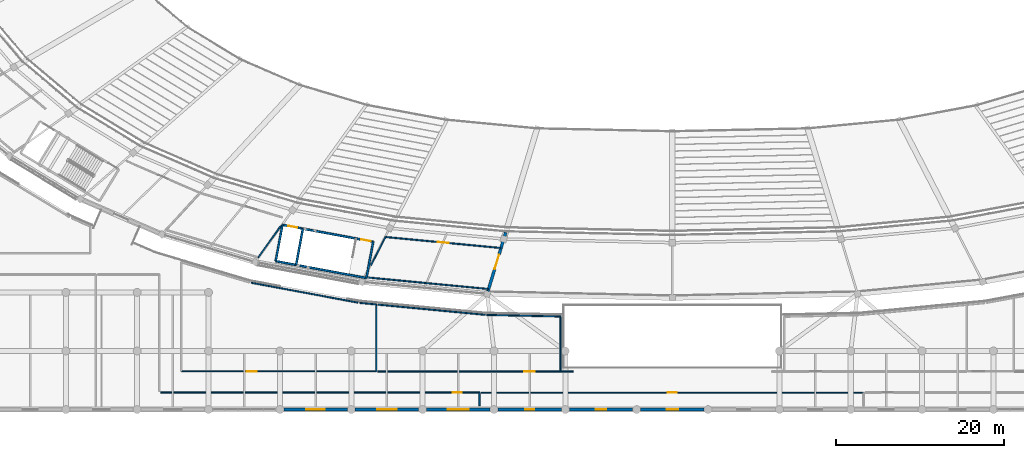
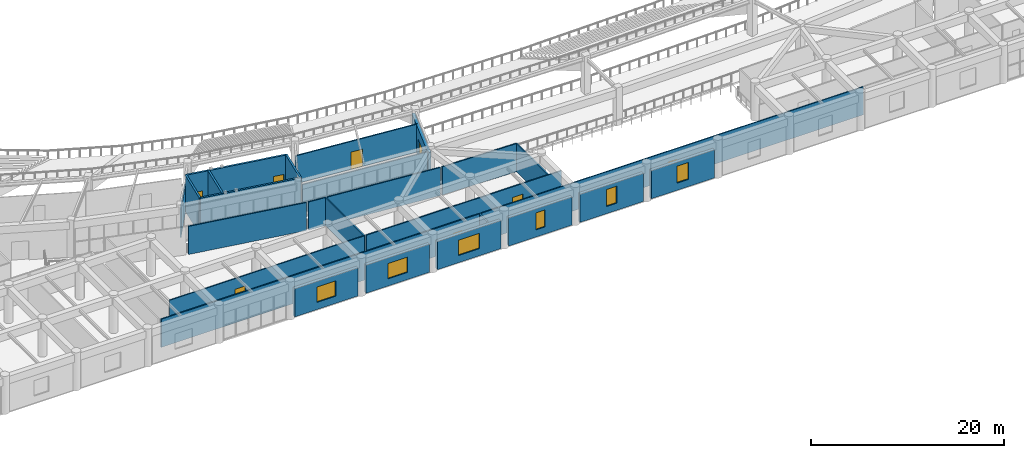
# One storey, part 93 of 137: 27 walls, 8 doors, 6 windows, 14 openings.
"""IFC4 building model written with IfcOpenShell, lengths in metres."""

import ifcopenshell
import ifcopenshell.guid

model = None  # the IFC model being written
_history = None  # IfcOwnerHistory: only IFC2X3 demands one
_inside = {}  # id of a spatial element -> (the spatial element, [elements in it])
_under = {}  # id of a project, library or spatial element -> (it, [spatial elements below it])
_declared = {}  # id of a project -> (the project, [libraries it declares])
_typed = {}  # id of a type object -> (the type object, [elements of that type])
_made_of = {}  # id of a material, layer set ... -> (it, [elements and type objects made of it])


def new_model(schema):
    """Start an empty IFC model of exactly this schema.

    Asked for "IFC4X3", IfcOpenShell would pick the latest addendum, in which some entities
    have other attributes; the version numbers below select the first issue.
    IFC2X3 requires an IfcOwnerHistory on every rooted entity: one is made here for all.
    """
    global model, _history
    if schema == "IFC4X3":
        model = ifcopenshell.file(schema_version=(4, 3, 0, 0))
    else:
        model = ifcopenshell.file(schema=schema)
    _inside.clear()
    _under.clear()
    _declared.clear()
    _typed.clear()
    _made_of.clear()
    _history = None
    if model.schema == "IFC2X3":
        org = make("IfcOrganization", Name="unknown")
        user = make(
            "IfcPersonAndOrganization",
            ThePerson=make("IfcPerson", FamilyName="unknown"),
            TheOrganization=org,
        )
        app = make(
            "IfcApplication",
            ApplicationDeveloper=org,
            Version="unknown",
            ApplicationFullName="unknown",
            ApplicationIdentifier="unknown",
        )
        _history = make(
            "IfcOwnerHistory",
            OwningUser=user,
            OwningApplication=app,
            ChangeAction="ADDED",
            CreationDate=0,
        )
    return model


def make(cls, **values):
    """One entity of the class cls with the attributes given. An attribute that is None is left unset."""
    return model.create_entity(
        cls, **{name: value for name, value in values.items() if value is not None}
    )


def rooted(cls, **values):
    """An entity with a GlobalId (a new one), such as an element, a storey or a relation."""
    return make(cls, GlobalId=ifcopenshell.guid.new(), OwnerHistory=_history, **values)


def si_unit(unit_type, name, prefix=None):
    """IfcSIUnit, for example si_unit("LENGTHUNIT", "METRE", prefix="MILLI")."""
    return make("IfcSIUnit", UnitType=unit_type, Prefix=prefix, Name=name)


def assignment(units):
    """IfcUnitAssignment: the units of a project."""
    return None if units is None else make("IfcUnitAssignment", Units=units)


def point(xyz):
    """IfcCartesianPoint."""
    return None if xyz is None else make("IfcCartesianPoint", Coordinates=xyz)


def direction(xyz):
    """IfcDirection."""
    return None if xyz is None else make("IfcDirection", DirectionRatios=xyz)


def frame(location, z_axis=None, x_axis=None):
    """IfcAxis2Placement3D, a coordinate frame: its origin and axes. An axis left out is left unset."""
    return make(
        "IfcAxis2Placement3D",
        Location=point(location),
        Axis=direction(z_axis),
        RefDirection=direction(x_axis),
    )


def frame_2d(location, x_axis=None):
    """IfcAxis2Placement2D, a coordinate frame in the plane: its origin and x axis."""
    return make(
        "IfcAxis2Placement2D", Location=point(location), RefDirection=direction(x_axis)
    )


def origin():
    """The frame at (0, 0, 0) with its axes left unset."""
    return frame((0.0, 0.0, 0.0))


def place(relative_to, where):
    """IfcLocalPlacement: puts the frame where relative to a parent placement (None: the world)."""
    return make(
        "IfcLocalPlacement", PlacementRelTo=relative_to, RelativePlacement=where
    )


def context(
    kind, dimensions, precision=None, world=None, true_north=None, identifier=None
):
    """IfcGeometricRepresentationContext, for example the 3D "Model" context."""
    return make(
        "IfcGeometricRepresentationContext",
        ContextIdentifier=identifier,
        ContextType=kind,
        CoordinateSpaceDimension=dimensions,
        Precision=precision,
        WorldCoordinateSystem=world,
        TrueNorth=true_north,
    )


def subcontext(parent, identifier, kind, view, scale=None):
    """IfcGeometricRepresentationSubContext, for example "Body" below "Model"."""
    return make(
        "IfcGeometricRepresentationSubContext",
        ContextIdentifier=identifier,
        ContextType=kind,
        ParentContext=parent,
        TargetScale=scale,
        TargetView=view,
    )


def project(units=None, contexts=None):
    """IfcProject with its units and contexts."""
    return rooted(
        "IfcProject",
        Name="project",
        RepresentationContexts=contexts,
        UnitsInContext=assignment(units),
    )


def spatial(cls, under=None, at=None, **own):
    """A site, building, storey or space (cls), placed at a placement, below another one or the project."""
    s = rooted(cls, ObjectPlacement=at, **own)
    if under is not None:
        _under.setdefault(under.id(), (under, []))[1].append(s)
    return s


def profile(cls, at=None, kind="AREA", **sizes):
    """A parametric profile (cls). Its sizes go by their IFC names, for example OverallWidth=200.0."""
    return make(cls, ProfileType=kind, Position=at, **sizes)


def rectangle(**sizes):
    """IfcRectangleProfileDef."""
    return profile("IfcRectangleProfileDef", **sizes)


def extrude(swept, where, along, depth):
    """IfcExtrudedAreaSolid: the profile swept, set in the frame where, extruded along a direction by depth."""
    return make(
        "IfcExtrudedAreaSolid",
        SweptArea=swept,
        Position=where,
        ExtrudedDirection=direction(along),
        Depth=depth,
    )


def shape(context_of_items, identifier, shape_type, items):
    """IfcShapeRepresentation: the items that make up one representation, for example the "Body"."""
    return make(
        "IfcShapeRepresentation",
        ContextOfItems=context_of_items,
        RepresentationIdentifier=identifier,
        RepresentationType=shape_type,
        Items=items,
    )


def material(Name=None, Category=None):
    """IfcMaterial."""
    return make("IfcMaterial", Name=Name, Category=Category)


def layer(
    of_material, thickness, ventilated=None, Name=None, Category=None, Priority=None
):
    """IfcMaterialLayer: one layer of a wall or slab, of a material (None: an air gap)."""
    return make(
        "IfcMaterialLayer",
        Material=of_material,
        LayerThickness=thickness,
        IsVentilated=ventilated,
        Name=Name,
        Category=Category,
        Priority=Priority,
    )


def layer_set(layers, Name=None):
    """IfcMaterialLayerSet."""
    return make("IfcMaterialLayerSet", MaterialLayers=layers, LayerSetName=Name)


def made_of(thing, what):
    """Note that an element or type object is made of a material, layer set ...; save() writes the relation."""
    if what is not None:
        _made_of.setdefault(what.id(), (what, []))[1].append(thing)
    return thing


def type_object(cls, material=None, **own):
    """A type object (cls), such as IfcWallType, which elements share."""
    return made_of(rooted(cls, **own), material)


def element(
    cls,
    number,
    at=None,
    inside=None,
    cuts=None,
    type_object=None,
    material=None,
    context=None,
    identifier="Body",
    shape_type=None,
    held_by="IfcProductDefinitionShape",
    body=None,
    shapes=None,
    **own,
):
    """One element of the class cls, such as IfcWall. Its Tag is "e" and its number.

    at: its placement. inside: the storey or other place that contains it. cuts: it is an
    opening in that element (IfcRelVoidsElement). A single representation is given by context,
    identifier, shape_type and body (its items); several are given by shapes. held_by: the class
    of the entity that holds the representations. save() writes the other relations.
    """
    e = rooted(cls, Tag="e%d" % number, ObjectPlacement=at, **own)
    if body is not None:
        shapes = [shape(context, identifier, shape_type, body)]
    if shapes is not None:
        e.Representation = make(held_by, Representations=shapes)
    if inside is not None:
        _inside.setdefault(inside.id(), (inside, []))[1].append(e)
    if cuts is not None:
        rooted(
            "IfcRelVoidsElement", RelatingBuildingElement=cuts, RelatedOpeningElement=e
        )
    if type_object is not None:
        _typed.setdefault(type_object.id(), (type_object, []))[1].append(e)
    return made_of(e, material)


def fill(opening, filler):
    """IfcRelFillsElement: the door or window that sits in an opening."""
    return rooted(
        "IfcRelFillsElement",
        RelatingOpeningElement=opening,
        RelatedBuildingElement=filler,
    )


def aggregate(whole, parts):
    """IfcRelAggregates: a whole, such as a stair, and the parts it consists of."""
    return rooted("IfcRelAggregates", RelatingObject=whole, RelatedObjects=parts)


def save(model, path):
    """Write the relations noted so far, then the file.

    IfcRelAggregates (storeys below a building ...), IfcRelContainedInSpatialStructure (elements
    in a storey), IfcRelDefinesByType, IfcRelAssociatesMaterial and IfcRelDeclares: one each for
    every whole, place, type object, material and project.
    """
    for whole, parts in _under.values():
        aggregate(whole, parts)
    for where, things in _inside.values():
        rooted(
            "IfcRelContainedInSpatialStructure",
            RelatedElements=things,
            RelatingStructure=where,
        )
    for kind, things in _typed.values():
        rooted("IfcRelDefinesByType", RelatedObjects=things, RelatingType=kind)
    for what, things in _made_of.values():
        rooted("IfcRelAssociatesMaterial", RelatedObjects=things, RelatingMaterial=what)
    for by, libraries in _declared.values():
        rooted("IfcRelDeclares", RelatingContext=by, RelatedDefinitions=libraries)
    model.write(path)


model = new_model("IFC4")

# Units and contexts
model_context = context("Model", 3, precision=1e-05, world=origin(), true_north=direction((0.0, 1.0)))
body_context = subcontext(model_context, "Body", "Model", "MODEL_VIEW")
ifc_project = project(units=[si_unit("LENGTHUNIT", "METRE"), si_unit("AREAUNIT", "SQUARE_METRE"), si_unit("VOLUMEUNIT", "CUBIC_METRE"), si_unit("PLANEANGLEUNIT", "RADIAN"), si_unit("MASSUNIT", "GRAM", prefix="KILO")], contexts=[model_context])

# Site, building, storey
site_placement = place(None, origin())
site = spatial("IfcSite", under=ifc_project, at=site_placement, CompositionType="ELEMENT")
building_placement = place(site_placement, origin())
building = spatial("IfcBuilding", under=site, at=building_placement, Name="Mphavela Belvedere Stadium", CompositionType="ELEMENT")
storey_placement = place(building_placement, frame((0.0, 0.0, 19.199951171875)))
storey = spatial("IfcBuildingStorey", under=building, at=storey_placement, Name="L04", CompositionType="ELEMENT", Elevation=19.199951171875)

# Walls
ifc_material_1 = material(Name="Concrete C40/50", Category="concrete")
ifc_layer_1 = layer(ifc_material_1, 0.219970703125)
ifc_layer_set_1 = layer_set([ifc_layer_1], Name="Concrete C40/50")
wall_type_1 = type_object("IfcWallType", Name="WAL-CORE-SHEAR-220", PredefinedType="SHEAR", material=ifc_layer_set_1)
wall_1_placement = place(storey_placement, frame((78.477294921875, 15.707275390625, 0.0), z_axis=(0.0, 0.0, 1.0), x_axis=(-0.983093434234, 0.183104613723, 0.0)))
element("IfcWall", 1, at=wall_1_placement, inside=storey, type_object=wall_type_1, Name="Core C11 shear wall L04 rear", PredefinedType="SHEAR", context=body_context, shape_type="SweptSolid", body=[
    extrude(rectangle(XDim=11.02001953125, YDim=0.219970703125, at=frame_2d((5.510009765625, 0.0))), origin(), (0.0, 0.0, 1.0), 4.550048828125),
])
for number, where, z_axis, x_axis, name in (
    (2, (79.28466796875, 20.042724609375, 0.0), (0.0, 0.0, 1.0), (-0.183078394814, -0.983098317236, 0.0), "Core C11 shear wall L04 left"),
    (3, (68.450927734375, 22.060546875, 0.0), (0.0, 0.0, 1.0), (-0.183078394814, -0.983098317236, 0.0), "Core C11 shear wall L04 right"),
):
    element("IfcWall", number, at=place(storey_placement, frame(where, z_axis=z_axis, x_axis=x_axis)), inside=storey, type_object=wall_type_1, Name=name, PredefinedType="SHEAR", context=body_context, shape_type="SweptSolid", body=[
        extrude(rectangle(XDim=4.409912109375, YDim=0.219970703125, at=frame_2d((2.205078125, 0.0))), origin(), (0.0, 0.0, 1.0), 4.550048828125),
    ])

# Wall, openings, doors
wall_2_placement = place(storey_placement, frame((79.28466796875, 20.042724609375, 0.0), z_axis=(0.0, 0.0, 1.0), x_axis=(-0.983093434234, 0.183104613723, 0.0)))
wall_2 = element("IfcWall", 4, at=wall_2_placement, inside=storey, type_object=wall_type_1, Name="Core C11 shear wall L04 front", PredefinedType="SHEAR", context=body_context, shape_type="SweptSolid", body=[
    extrude(rectangle(XDim=11.02001953125, YDim=0.219970703125, at=frame_2d((5.510009765625, 0.0))), origin(), (0.0, 0.0, 1.0), 4.550048828125),
])
opening_1_placement = place(wall_2_placement, frame((0.300048828125, 0.0, 0.0)))
opening_1 = element("IfcOpeningElement", 5, at=opening_1_placement, cuts=wall_2, Name="Opening SD-061", PredefinedType="OPENING", context=body_context, shape_type="SweptSolid", body=[
    extrude(rectangle(XDim=1.14990234375, YDim=2.14990234375, at=frame_2d((0.574951171875, 1.074951171875))), frame((0.0, 0.1201171875, 0.0), z_axis=(0.0, -1.0, 0.0), x_axis=(1.0, 0.0, 0.0)), (0.0, 0.0, 1.0), 0.239990234375),
])
opening_2_placement = place(wall_2_placement, frame((9.22998046875, 0.0, 0.0)))
opening_2 = element("IfcOpeningElement", 6, at=opening_2_placement, cuts=wall_2, Name="Opening LD-061", PredefinedType="OPENING", context=body_context, shape_type="SweptSolid", body=[
    extrude(rectangle(XDim=1.10009765625, YDim=2.14990234375, at=frame_2d((0.550048828125, 1.074951171875))), frame((0.0, 0.1201171875, 0.0), z_axis=(0.0, -1.0, 0.0), x_axis=(1.0, 0.0, 0.0)), (0.0, 0.0, 1.0), 0.239990234375),
])
ifc_material_2 = material(Name="Stainless steel center-parting lift landing door", Category="steel")
door_type_1 = type_object("IfcDoorType", Name="DR-LIFT-SLIDE-1100", OperationType="NOTDEFINED", PredefinedType="DOOR", material=ifc_material_2)
door_1_placement = place(opening_2_placement, origin())
door_1 = element("IfcDoor", 7, at=door_1_placement, inside=storey, type_object=door_type_1, Name="Lift landing sliding door PL05 L04", OperationType="DOUBLE_DOOR_SLIDING", OverallHeight=2.14990234375, OverallWidth=1.10009765625, PredefinedType="DOOR", context=body_context, shape_type="SweptSolid", body=[
    extrude(rectangle(XDim=1.10009765625, YDim=2.14990234375, at=frame_2d((0.550048828125, 1.074951171875))), frame((0.0, 0.02490234375, 0.0), z_axis=(0.0, -1.0, 0.0), x_axis=(1.0, 0.0, 0.0)), (0.0, 0.0, 1.0), 0.050048828125),
])
fill(opening_2, door_1)
ifc_material_3 = material(Name="Steel acoustic fire-resisting stair doorset", Category="steel")
door_type_2 = type_object("IfcDoorType", Name="DR-STAIR-FIRE-1150", OperationType="NOTDEFINED", PredefinedType="DOOR", material=ifc_material_3)
door_2_placement = place(opening_1_placement, origin())
door_2 = element("IfcDoor", 8, at=door_2_placement, inside=storey, type_object=door_type_2, Name="Escape stair fire door C11 L04", OperationType="SINGLE_SWING_LEFT", OverallHeight=2.14990234375, OverallWidth=1.14990234375, PredefinedType="DOOR", context=body_context, shape_type="SweptSolid", body=[
    extrude(rectangle(XDim=1.14990234375, YDim=2.14990234375, at=frame_2d((0.574951171875, 1.074951171875))), frame((0.0, 0.02490234375, 0.0), z_axis=(0.0, -1.0, 0.0), x_axis=(1.0, 0.0, 0.0)), (0.0, 0.0, 1.0), 0.050048828125),
])
fill(opening_1, door_2)

# Wall
wall_3_placement = place(storey_placement, frame((70.888916015625, 21.6064453125, 0.0), z_axis=(0.0, 0.0, 1.0), x_axis=(-0.183078394814, -0.983098317236, 0.0)))
element("IfcWall", 9, at=wall_3_placement, inside=storey, type_object=wall_type_1, Name="Core C11 shear wall L04 div", PredefinedType="SHEAR", context=body_context, shape_type="SweptSolid", body=[
    extrude(rectangle(XDim=4.409912109375, YDim=0.219970703125, at=frame_2d((2.205078125, 0.0))), origin(), (0.0, 0.0, 1.0), 4.550048828125),
])

# Wall, opening, door
ifc_material_4 = material(Name="Honed ashlar limestone masonry", Category="masonry")
ifc_layer_2 = layer(ifc_material_4, 0.35009765625)
ifc_layer_set_2 = layer_set([ifc_layer_2], Name="Honed ashlar limestone masonry")
wall_type_2 = type_object("IfcWallType", Name="WAL-EXT-ASHLAR-350", PredefinedType="STANDARD", material=ifc_layer_set_2)
wall_4_placement = place(storey_placement, frame((95.10400390625, 21.148681640625, 0.0), z_axis=(0.0, 0.0, 1.0), x_axis=(-0.28924385285, -0.957255448451, 0.0)))
wall_4 = element("IfcWall", 10, at=wall_4_placement, inside=storey, type_object=wall_type_2, Name="South Belvedere terrace end wall 1", PredefinedType="STANDARD", context=body_context, shape_type="SweptSolid", body=[
    extrude(rectangle(XDim=7.322265625, YDim=0.35009765625, at=frame_2d((3.6611328125, 0.0))), origin(), (0.0, 0.0, 1.0), 3.550048828125),
])
opening_3_placement = place(wall_4_placement, frame((2.76123046875, 0.0, 0.0)))
opening_3 = element("IfcOpeningElement", 11, at=opening_3_placement, cuts=wall_4, Name="Opening TD-401", PredefinedType="OPENING", context=body_context, shape_type="SweptSolid", body=[
    extrude(rectangle(XDim=1.800048828125, YDim=2.25, at=frame_2d((0.89990234375, 1.125))), frame((0.0, 0.18505859375, 0.0), z_axis=(0.0, -1.0, 0.0), x_axis=(1.0, 0.0, 0.0)), (0.0, 0.0, 1.0), 0.3701171875),
])
ifc_material_5 = material(Name="Glazed bronze-anodised steel exit doorset", Category="steel")
door_type_3 = type_object("IfcDoorType", Name="DR-TER-01", OperationType="NOTDEFINED", PredefinedType="DOOR", material=ifc_material_5)
door_3_placement = place(opening_3_placement, origin())
door_3 = element("IfcDoor", 12, at=door_3_placement, inside=storey, type_object=door_type_3, Name="South Belvedere terrace access door TD-401", OperationType="DOUBLE_DOOR_SINGLE_SWING", OverallHeight=2.25, OverallWidth=1.800048828125, PredefinedType="DOOR", context=body_context, shape_type="SweptSolid", body=[
    extrude(rectangle(XDim=1.800048828125, YDim=2.25, at=frame_2d((0.89990234375, 1.125))), frame((0.0, 0.02490234375, 0.0), z_axis=(0.0, -1.0, 0.0), x_axis=(1.0, 0.0, 0.0)), (0.0, 0.0, 1.0), 0.050048828125),
])
fill(opening_3, door_3)

# Wall, opening, window
wall_5_placement = place(storey_placement, frame((76.194091796875, 0.0, 0.0), z_axis=(0.0, 0.0, 1.0), x_axis=(-1.0, 0.0, 0.0)))
wall_5 = element("IfcWall", 13, at=wall_5_placement, inside=storey, type_object=wall_type_2, Name="South Axial Triumphal Peristyle Portico outer facade bay L04-09", PredefinedType="STANDARD", context=body_context, shape_type="SweptSolid", body=[
    extrude(rectangle(XDim=7.572998046875, YDim=0.35009765625, at=frame_2d((3.78662109375, 0.0))), origin(), (0.0, 0.0, 1.0), 3.56005859375),
])
opening_4_placement = place(wall_5_placement, frame((2.676513671875, 0.0, 0.89990234375)))
opening_4 = element("IfcOpeningElement", 14, at=opening_4_placement, cuts=wall_5, Name="Opening W-119", PredefinedType="OPENING", context=body_context, shape_type="SweptSolid", body=[
    extrude(rectangle(XDim=2.219970703125, YDim=1.949951171875, at=frame_2d((1.10986328125, 0.97509765625))), frame((0.0, 0.18505859375, 0.0), z_axis=(0.0, -1.0, 0.0), x_axis=(1.0, 0.0, 0.0)), (0.0, 0.0, 1.0), 0.3701171875),
])
ifc_material_6 = material(Name="Bronze-anodised thermally broken aluminium window", Category="aluminium")
window_type_1 = type_object("IfcWindowType", Name="WIN-EXT-31", PartitioningType="SINGLE_PANEL", PredefinedType="WINDOW", material=ifc_material_6)
window_1_placement = place(opening_4_placement, origin())
window_1 = element("IfcWindow", 15, at=window_1_placement, inside=storey, type_object=window_type_1, Name="South Axial Triumphal Peristyle Portico classical window W-119", OverallHeight=1.949951171875, OverallWidth=2.219970703125, PartitioningType="SINGLE_PANEL", PredefinedType="WINDOW", context=body_context, shape_type="SweptSolid", body=[
    extrude(rectangle(XDim=2.219970703125, YDim=1.949951171875, at=frame_2d((1.10986328125, 0.97509765625))), frame((0.0, 0.030029296875, 0.0), z_axis=(0.0, -1.0, 0.0), x_axis=(1.0, 0.0, 0.0)), (0.0, 0.0, 1.0), 0.06005859375),
])
fill(opening_4, window_1)

wall_6_placement = place(storey_placement, frame((84.7119140625, 0.0, 0.0), z_axis=(0.0, 0.0, 1.0), x_axis=(-1.0, 0.0, 0.0)))
wall_6 = element("IfcWall", 16, at=wall_6_placement, inside=storey, type_object=wall_type_2, Name="South Axial Triumphal Peristyle Portico outer facade bay L04-10", PredefinedType="STANDARD", context=body_context, shape_type="SweptSolid", body=[
    extrude(rectangle(XDim=7.572021484375, YDim=0.35009765625, at=frame_2d((3.7861328125, 0.0))), origin(), (0.0, 0.0, 1.0), 3.56005859375),
])
opening_5_placement = place(wall_6_placement, frame((2.60595703125, 0.0, 0.89990234375)))
opening_5 = element("IfcOpeningElement", 17, at=opening_5_placement, cuts=wall_6, Name="Opening W-120", PredefinedType="OPENING", context=body_context, shape_type="SweptSolid", body=[
    extrude(rectangle(XDim=2.360107421875, YDim=1.949951171875, at=frame_2d((1.18017578125, 0.97509765625))), frame((0.0, 0.18505859375, 0.0), z_axis=(0.0, -1.0, 0.0), x_axis=(1.0, 0.0, 0.0)), (0.0, 0.0, 1.0), 0.3701171875),
])
ifc_material_7 = material(Name="Bronze-anodised thermally broken aluminium window", Category="aluminium")
window_type_2 = type_object("IfcWindowType", Name="WIN-EXT-32", PartitioningType="SINGLE_PANEL", PredefinedType="WINDOW", material=ifc_material_7)
window_2_placement = place(opening_5_placement, origin())
window_2 = element("IfcWindow", 18, at=window_2_placement, inside=storey, type_object=window_type_2, Name="South Axial Triumphal Peristyle Portico classical window W-120", OverallHeight=1.949951171875, OverallWidth=2.360107421875, PartitioningType="SINGLE_PANEL", PredefinedType="WINDOW", context=body_context, shape_type="SweptSolid", body=[
    extrude(rectangle(XDim=2.360107421875, YDim=1.949951171875, at=frame_2d((1.18017578125, 0.97509765625))), frame((0.0, 0.030029296875, 0.0), z_axis=(0.0, -1.0, 0.0), x_axis=(1.0, 0.0, 0.0)), (0.0, 0.0, 1.0), 0.06005859375),
])
fill(opening_5, window_2)

wall_7_placement = place(storey_placement, frame((93.23095703125, 0.0, 0.0), z_axis=(0.0, 0.0, 1.0), x_axis=(-1.0, 0.0, 0.0)))
wall_7 = element("IfcWall", 19, at=wall_7_placement, inside=storey, type_object=wall_type_2, Name="South Axial Triumphal Peristyle Portico outer facade bay L04-11", PredefinedType="STANDARD", context=body_context, shape_type="SweptSolid", body=[
    extrude(rectangle(XDim=7.572998046875, YDim=0.35009765625, at=frame_2d((3.78662109375, 0.0))), origin(), (0.0, 0.0, 1.0), 3.56005859375),
])
opening_6_placement = place(wall_7_placement, frame((2.526611328125, 0.0, 0.89990234375)))
opening_6 = element("IfcOpeningElement", 20, at=opening_6_placement, cuts=wall_7, Name="Opening W-121", PredefinedType="OPENING", context=body_context, shape_type="SweptSolid", body=[
    extrude(rectangle(XDim=2.52001953125, YDim=1.949951171875, at=frame_2d((1.260009765625, 0.97509765625))), frame((0.0, 0.18505859375, 0.0), z_axis=(0.0, -1.0, 0.0), x_axis=(1.0, 0.0, 0.0)), (0.0, 0.0, 1.0), 0.3701171875),
])
ifc_material_8 = material(Name="Bronze-anodised thermally broken aluminium window", Category="aluminium")
window_type_3 = type_object("IfcWindowType", Name="WIN-EXT-33", PartitioningType="SINGLE_PANEL", PredefinedType="WINDOW", material=ifc_material_8)
window_3_placement = place(opening_6_placement, origin())
window_3 = element("IfcWindow", 21, at=window_3_placement, inside=storey, type_object=window_type_3, Name="South Axial Triumphal Peristyle Portico classical window W-121", OverallHeight=1.949951171875, OverallWidth=2.52001953125, PartitioningType="SINGLE_PANEL", PredefinedType="WINDOW", context=body_context, shape_type="SweptSolid", body=[
    extrude(rectangle(XDim=2.52001953125, YDim=1.949951171875, at=frame_2d((1.260009765625, 0.97509765625))), frame((0.0, 0.030029296875, 0.0), z_axis=(0.0, -1.0, 0.0), x_axis=(1.0, 0.0, 0.0)), (0.0, 0.0, 1.0), 0.06005859375),
])
fill(opening_6, window_3)

wall_8_placement = place(storey_placement, frame((101.7490234375, 0.0, 0.0), z_axis=(0.0, 0.0, 1.0), x_axis=(-1.0, 0.0, 0.0)))
wall_8 = element("IfcWall", 22, at=wall_8_placement, inside=storey, type_object=wall_type_2, Name="South Axial Triumphal Peristyle Portico outer facade bay L04-12", PredefinedType="STANDARD", context=body_context, shape_type="SweptSolid", body=[
    extrude(rectangle(XDim=7.572021484375, YDim=0.35009765625, at=frame_2d((3.7861328125, 0.0))), origin(), (0.0, 0.0, 1.0), 3.56005859375),
])
opening_7_placement = place(wall_8_placement, frame((3.236083984375, 0.0, 0.89990234375)))
opening_7 = element("IfcOpeningElement", 23, at=opening_7_placement, cuts=wall_8, Name="Opening W-122", PredefinedType="OPENING", context=body_context, shape_type="SweptSolid", body=[
    extrude(rectangle(XDim=1.10009765625, YDim=2.14990234375, at=frame_2d((0.550048828125, 1.074951171875))), frame((0.0, 0.18505859375, 0.0), z_axis=(0.0, -1.0, 0.0), x_axis=(1.0, 0.0, 0.0)), (0.0, 0.0, 1.0), 0.3701171875),
])
ifc_material_9 = material(Name="Bronze-anodised thermally broken aluminium window", Category="aluminium")
window_type_4 = type_object("IfcWindowType", Name="WIN-EXT-34", PartitioningType="SINGLE_PANEL", PredefinedType="WINDOW", material=ifc_material_9)
window_4_placement = place(opening_7_placement, origin())
window_4 = element("IfcWindow", 24, at=window_4_placement, inside=storey, type_object=window_type_4, Name="South Axial Triumphal Peristyle Portico classical window W-122", OverallHeight=2.14990234375, OverallWidth=1.10009765625, PartitioningType="SINGLE_PANEL", PredefinedType="WINDOW", context=body_context, shape_type="SweptSolid", body=[
    extrude(rectangle(XDim=1.10009765625, YDim=2.14990234375, at=frame_2d((0.550048828125, 1.074951171875))), frame((0.0, 0.030029296875, 0.0), z_axis=(0.0, -1.0, 0.0), x_axis=(1.0, 0.0, 0.0)), (0.0, 0.0, 1.0), 0.06005859375),
])
fill(opening_7, window_4)

wall_9_placement = place(storey_placement, frame((110.26806640625, 0.0, 0.0), z_axis=(0.0, 0.0, 1.0), x_axis=(-1.0, 0.0, 0.0)))
wall_9 = element("IfcWall", 25, at=wall_9_placement, inside=storey, type_object=wall_type_2, Name="South Axial Triumphal Peristyle Portico outer facade bay L04-13", PredefinedType="STANDARD", context=body_context, shape_type="SweptSolid", body=[
    extrude(rectangle(XDim=7.572998046875, YDim=0.35009765625, at=frame_2d((3.78662109375, 0.0))), origin(), (0.0, 0.0, 1.0), 3.56005859375),
])
opening_8_placement = place(wall_9_placement, frame((3.16650390625, 0.0, 0.89990234375)))
opening_8 = element("IfcOpeningElement", 26, at=opening_8_placement, cuts=wall_9, Name="Opening W-123", PredefinedType="OPENING", context=body_context, shape_type="SweptSolid", body=[
    extrude(rectangle(XDim=1.239990234375, YDim=2.14990234375, at=frame_2d((0.6201171875, 1.074951171875))), frame((0.0, 0.18505859375, 0.0), z_axis=(0.0, -1.0, 0.0), x_axis=(1.0, 0.0, 0.0)), (0.0, 0.0, 1.0), 0.3701171875),
])
ifc_material_10 = material(Name="Bronze-anodised thermally broken aluminium window", Category="aluminium")
window_type_5 = type_object("IfcWindowType", Name="WIN-EXT-35", PartitioningType="SINGLE_PANEL", PredefinedType="WINDOW", material=ifc_material_10)
window_5_placement = place(opening_8_placement, origin())
window_5 = element("IfcWindow", 27, at=window_5_placement, inside=storey, type_object=window_type_5, Name="South Axial Triumphal Peristyle Portico classical window W-123", OverallHeight=2.14990234375, OverallWidth=1.239990234375, PartitioningType="SINGLE_PANEL", PredefinedType="WINDOW", context=body_context, shape_type="SweptSolid", body=[
    extrude(rectangle(XDim=1.239990234375, YDim=2.14990234375, at=frame_2d((0.6201171875, 1.074951171875))), frame((0.0, 0.030029296875, 0.0), z_axis=(0.0, -1.0, 0.0), x_axis=(1.0, 0.0, 0.0)), (0.0, 0.0, 1.0), 0.06005859375),
])
fill(opening_8, window_5)

wall_10_placement = place(storey_placement, frame((118.785888671875, 0.0, 0.0), z_axis=(0.0, 0.0, 1.0), x_axis=(-1.0, 0.0, 0.0)))
wall_10 = element("IfcWall", 28, at=wall_10_placement, inside=storey, type_object=wall_type_2, Name="South Axial Triumphal Peristyle Portico outer facade bay L04-14", PredefinedType="STANDARD", context=body_context, shape_type="SweptSolid", body=[
    extrude(rectangle(XDim=7.57177734375, YDim=0.35009765625, at=frame_2d((3.785888671875, 0.0))), origin(), (0.0, 0.0, 1.0), 3.56005859375),
])
opening_9_placement = place(wall_10_placement, frame((3.095947265625, 0.0, 0.89990234375)))
opening_9 = element("IfcOpeningElement", 29, at=opening_9_placement, cuts=wall_10, Name="Opening W-124", PredefinedType="OPENING", context=body_context, shape_type="SweptSolid", body=[
    extrude(rectangle(XDim=1.3798828125, YDim=2.14990234375, at=frame_2d((0.68994140625, 1.074951171875))), frame((0.0, 0.18505859375, 0.0), z_axis=(0.0, -1.0, 0.0), x_axis=(1.0, 0.0, 0.0)), (0.0, 0.0, 1.0), 0.3701171875),
])
ifc_material_11 = material(Name="Bronze-anodised thermally broken aluminium window", Category="aluminium")
window_type_6 = type_object("IfcWindowType", Name="WIN-EXT-36", PartitioningType="SINGLE_PANEL", PredefinedType="WINDOW", material=ifc_material_11)
window_6_placement = place(opening_9_placement, origin())
window_6 = element("IfcWindow", 30, at=window_6_placement, inside=storey, type_object=window_type_6, Name="South Axial Triumphal Peristyle Portico classical window W-124", OverallHeight=2.14990234375, OverallWidth=1.3798828125, PartitioningType="SINGLE_PANEL", PredefinedType="WINDOW", context=body_context, shape_type="SweptSolid", body=[
    extrude(rectangle(XDim=1.3798828125, YDim=2.14990234375, at=frame_2d((0.68994140625, 1.074951171875))), frame((0.0, 0.030029296875, 0.0), z_axis=(0.0, -1.0, 0.0), x_axis=(1.0, 0.0, 0.0)), (0.0, 0.0, 1.0), 0.06005859375),
])
fill(opening_9, window_6)

# Wall, opening, door
ifc_material_12 = material(Name="Moisture-resistant sanitary partition assembly")
ifc_layer_3 = layer(ifc_material_12, 0.125)
ifc_layer_set_3 = layer_set([ifc_layer_3], Name="Moisture-resistant sanitary partition assembly")
wall_type_3 = type_object("IfcWallType", Name="WAL-PART-125", PredefinedType="PARTITIONING", material=ifc_layer_set_3)
wall_11_placement = place(storey_placement, frame((92.18994140625, 2.0400390625, 0.0), z_axis=(0.0, 0.0, 1.0), x_axis=(1.0, 0.0, 0.0)))
wall_11 = element("IfcWall", 31, at=wall_11_placement, inside=storey, type_object=wall_type_3, Name="Room L04-105 corridor partition", PredefinedType="PARTITIONING", context=body_context, shape_type="SweptSolid", body=[
    extrude(rectangle(XDim=45.6201171875, YDim=0.125, at=frame_2d((22.81005859375, 0.0))), origin(), (0.0, 0.0, 1.0), 3.550048828125),
])
opening_10_placement = place(wall_11_placement, frame((22.260009765625, 0.0, 0.0)))
opening_10 = element("IfcOpeningElement", 32, at=opening_10_placement, cuts=wall_11, Name="Opening ID-414", PredefinedType="OPENING", context=body_context, shape_type="SweptSolid", body=[
    extrude(rectangle(XDim=1.10009765625, YDim=2.199951171875, at=frame_2d((0.550048828125, 1.10009765625))), frame((0.0, 0.072509765625, 0.0), z_axis=(0.0, -1.0, 0.0), x_axis=(1.0, 0.0, 0.0)), (0.0, 0.0, 1.0), 0.14501953125),
])
ifc_material_13 = material(Name="Hardwood acoustic timber doorset", Category="wood")
door_type_4 = type_object("IfcDoorType", Name="DR-INT-18", OperationType="NOTDEFINED", PredefinedType="DOOR", material=ifc_material_13)
door_4_placement = place(opening_10_placement, origin())
door_4 = element("IfcDoor", 33, at=door_4_placement, inside=storey, type_object=door_type_4, Name="Room L04-105 entrance door ID-414", OperationType="SINGLE_SWING_RIGHT", OverallHeight=2.199951171875, OverallWidth=1.10009765625, PredefinedType="DOOR", context=body_context, shape_type="SweptSolid", body=[
    extrude(rectangle(XDim=1.10009765625, YDim=2.199951171875, at=frame_2d((0.550048828125, 1.10009765625))), frame((0.0, 0.02490234375, 0.0), z_axis=(0.0, -1.0, 0.0), x_axis=(1.0, 0.0, 0.0)), (0.0, 0.0, 1.0), 0.050048828125),
])
fill(opening_10, door_4)

wall_12_placement = place(storey_placement, frame((79.656005859375, 4.56005859375, 0.0), z_axis=(0.0, 0.0, 1.0), x_axis=(-1.0, 0.0, 0.0)))
wall_12 = element("IfcWall", 34, at=wall_12_placement, inside=storey, type_object=wall_type_3, Name="Room L04-108 corridor partition", PredefinedType="PARTITIONING", context=body_context, shape_type="SweptSolid", body=[
    extrude(rectangle(XDim=23.2958984375, YDim=0.125, at=frame_2d((11.64794921875, 0.0))), origin(), (0.0, 0.0, 1.0), 3.550048828125),
])
opening_11_placement = place(wall_12_placement, frame((14.25341796875, 0.0, 0.0)))
opening_11 = element("IfcOpeningElement", 35, at=opening_11_placement, cuts=wall_12, Name="Opening ID-417", PredefinedType="OPENING", context=body_context, shape_type="SweptSolid", body=[
    extrude(rectangle(XDim=1.219970703125, YDim=2.199951171875, at=frame_2d((0.60986328125, 1.10009765625))), frame((0.0, 0.072509765625, 0.0), z_axis=(0.0, -1.0, 0.0), x_axis=(1.0, 0.0, 0.0)), (0.0, 0.0, 1.0), 0.14501953125),
])
ifc_material_14 = material(Name="Hardwood acoustic timber doorset", Category="wood")
door_type_5 = type_object("IfcDoorType", Name="DR-INT-21", OperationType="NOTDEFINED", PredefinedType="DOOR", material=ifc_material_14)
door_5_placement = place(opening_11_placement, origin())
door_5 = element("IfcDoor", 36, at=door_5_placement, inside=storey, type_object=door_type_5, Name="Room L04-108 entrance door ID-417", OperationType="SINGLE_SWING_LEFT", OverallHeight=2.199951171875, OverallWidth=1.219970703125, PredefinedType="DOOR", context=body_context, shape_type="SweptSolid", body=[
    extrude(rectangle(XDim=1.219970703125, YDim=2.199951171875, at=frame_2d((0.60986328125, 1.10009765625))), frame((0.0, 0.02490234375, 0.0), z_axis=(0.0, -1.0, 0.0), x_axis=(1.0, 0.0, 0.0)), (0.0, 0.0, 1.0), 0.050048828125),
])
fill(opening_11, door_5)

ifc_material_15 = material(Name="Acoustic gypsum stud partition assembly")
ifc_layer_4 = layer(ifc_material_15, 0.14990234375)
ifc_layer_set_4 = layer_set([ifc_layer_4], Name="Acoustic gypsum stud partition assembly")
wall_type_4 = type_object("IfcWallType", Name="WAL-PART-150", PredefinedType="PARTITIONING", material=ifc_layer_set_4)
wall_13_placement = place(storey_placement, frame((80.748291015625, 20.606689453125, 0.0), z_axis=(0.0, 0.0, 1.0), x_axis=(0.99548251799, -0.094945017647, 0.0)))
wall_13 = element("IfcWall", 37, at=wall_13_placement, inside=storey, type_object=wall_type_4, Name="Room L04-85 corridor partition", PredefinedType="PARTITIONING", context=body_context, shape_type="SweptSolid", body=[
    extrude(rectangle(XDim=13.816162109375, YDim=0.14990234375, at=frame_2d((6.908203125, 0.0))), origin(), (0.0, 0.0, 1.0), 3.550048828125),
])
opening_12_placement = place(wall_13_placement, frame((6.248046875, 0.0, 0.0)))
opening_12 = element("IfcOpeningElement", 38, at=opening_12_placement, cuts=wall_13, Name="Opening ID-347", PredefinedType="OPENING", context=body_context, shape_type="SweptSolid", body=[
    extrude(rectangle(XDim=1.320068359375, YDim=2.199951171875, at=frame_2d((0.66015625, 1.10009765625))), frame((0.0, 0.0849609375, 0.0), z_axis=(0.0, -1.0, 0.0), x_axis=(1.0, 0.0, 0.0)), (0.0, 0.0, 1.0), 0.169921875),
])
ifc_material_16 = material(Name="Hardwood acoustic timber doorset", Category="wood")
door_type_6 = type_object("IfcDoorType", Name="DR-INT-23", OperationType="NOTDEFINED", PredefinedType="DOOR", material=ifc_material_16)
door_6_placement = place(opening_12_placement, origin())
door_6 = element("IfcDoor", 39, at=door_6_placement, inside=storey, type_object=door_type_6, Name="Room L04-85 entrance door ID-347", OperationType="SINGLE_SWING_LEFT", OverallHeight=2.199951171875, OverallWidth=1.320068359375, PredefinedType="DOOR", context=body_context, shape_type="SweptSolid", body=[
    extrude(rectangle(XDim=1.320068359375, YDim=2.199951171875, at=frame_2d((0.66015625, 1.10009765625))), frame((0.0, 0.02490234375, 0.0), z_axis=(0.0, -1.0, 0.0), x_axis=(1.0, 0.0, 0.0)), (0.0, 0.0, 1.0), 0.050048828125),
])
fill(opening_12, door_6)

wall_14_placement = place(storey_placement, frame((53.89990234375, 2.0400390625, 0.0), z_axis=(0.0, 0.0, 1.0), x_axis=(1.0, 0.0, 0.0)))
wall_14 = element("IfcWall", 40, at=wall_14_placement, inside=storey, type_object=wall_type_4, Name="Room L04-104 corridor partition", PredefinedType="PARTITIONING", context=body_context, shape_type="SweptSolid", body=[
    extrude(rectangle(XDim=38.090087890625, YDim=0.14990234375, at=frame_2d((19.044921875, 0.0))), origin(), (0.0, 0.0, 1.0), 3.550048828125),
])
opening_13_placement = place(wall_14_placement, frame((34.890380859375, 0.0, 0.0)))
opening_13 = element("IfcOpeningElement", 41, at=opening_13_placement, cuts=wall_14, Name="Opening ID-413", PredefinedType="OPENING", context=body_context, shape_type="SweptSolid", body=[
    extrude(rectangle(XDim=1.06005859375, YDim=2.199951171875, at=frame_2d((0.530029296875, 1.10009765625))), frame((0.0, 0.0849609375, 0.0), z_axis=(0.0, -1.0, 0.0), x_axis=(1.0, 0.0, 0.0)), (0.0, 0.0, 1.0), 0.169921875),
])
ifc_material_17 = material(Name="Hardwood acoustic timber doorset", Category="wood")
door_type_7 = type_object("IfcDoorType", Name="DR-INT-17", OperationType="NOTDEFINED", PredefinedType="DOOR", material=ifc_material_17)
door_7_placement = place(opening_13_placement, origin())
door_7 = element("IfcDoor", 42, at=door_7_placement, inside=storey, type_object=door_type_7, Name="Room L04-104 entrance door ID-413", OperationType="SINGLE_SWING_LEFT", OverallHeight=2.199951171875, OverallWidth=1.06005859375, PredefinedType="DOOR", context=body_context, shape_type="SweptSolid", body=[
    extrude(rectangle(XDim=1.06005859375, YDim=2.199951171875, at=frame_2d((0.530029296875, 1.10009765625))), frame((0.0, 0.02490234375, 0.0), z_axis=(0.0, -1.0, 0.0), x_axis=(1.0, 0.0, 0.0)), (0.0, 0.0, 1.0), 0.050048828125),
])
fill(opening_13, door_7)

wall_15_placement = place(storey_placement, frame((103.152099609375, 4.56005859375, 0.0), z_axis=(0.0, 0.0, 1.0), x_axis=(-1.0, 0.0, 0.0)))
wall_15 = element("IfcWall", 43, at=wall_15_placement, inside=storey, type_object=wall_type_4, Name="Room L04-109 corridor partition", PredefinedType="PARTITIONING", context=body_context, shape_type="SweptSolid", body=[
    extrude(rectangle(XDim=23.296142578125, YDim=0.14990234375, at=frame_2d((11.64794921875, 0.0))), origin(), (0.0, 0.0, 1.0), 3.550048828125),
])
opening_14_placement = place(wall_15_placement, frame((4.59912109375, 0.0, 0.0)))
opening_14 = element("IfcOpeningElement", 44, at=opening_14_placement, cuts=wall_15, Name="Opening ID-418", PredefinedType="OPENING", context=body_context, shape_type="SweptSolid", body=[
    extrude(rectangle(XDim=1.260009765625, YDim=2.199951171875, at=frame_2d((0.6298828125, 1.10009765625))), frame((0.0, 0.0849609375, 0.0), z_axis=(0.0, -1.0, 0.0), x_axis=(1.0, 0.0, 0.0)), (0.0, 0.0, 1.0), 0.169921875),
])
ifc_material_18 = material(Name="Hardwood acoustic timber doorset", Category="wood")
door_type_8 = type_object("IfcDoorType", Name="DR-INT-22", OperationType="NOTDEFINED", PredefinedType="DOOR", material=ifc_material_18)
door_8_placement = place(opening_14_placement, origin())
door_8 = element("IfcDoor", 45, at=door_8_placement, inside=storey, type_object=door_type_8, Name="Room L04-109 entrance door ID-418", OperationType="SINGLE_SWING_RIGHT", OverallHeight=2.199951171875, OverallWidth=1.260009765625, PredefinedType="DOOR", context=body_context, shape_type="SweptSolid", body=[
    extrude(rectangle(XDim=1.260009765625, YDim=2.199951171875, at=frame_2d((0.6298828125, 1.10009765625))), frame((0.0, 0.02490234375, 0.0), z_axis=(0.0, -1.0, 0.0), x_axis=(1.0, 0.0, 0.0)), (0.0, 0.0, 1.0), 0.050048828125),
])
fill(opening_14, door_8)

# Walls
wall_16_placement = place(storey_placement, frame((68.225830078125, 21.889892578125, 0.0), z_axis=(0.0, 0.0, 1.0), x_axis=(-0.583018940517, -0.812458562019, 0.0)))
element("IfcWall", 46, at=wall_16_placement, inside=storey, type_object=wall_type_4, Name="Room divider partition L04-0619", PredefinedType="PARTITIONING", context=body_context, shape_type="SweptSolid", body=[
    extrude(rectangle(XDim=4.574462890625, YDim=0.14990234375, at=frame_2d((2.287109375, 0.0))), origin(), (0.0, 0.0, 1.0), 3.550048828125),
])
wall_17_placement = place(storey_placement, frame((79.00537109375, 17.232666015625, 0.0), z_axis=(0.0, 0.0, 1.0), x_axis=(0.45895239375, 0.888460860292, 0.0)))
element("IfcWall", 47, at=wall_17_placement, inside=storey, type_object=wall_type_4, Name="Room divider partition L04-0621", PredefinedType="PARTITIONING", context=body_context, shape_type="SweptSolid", body=[
    extrude(rectangle(XDim=3.797607421875, YDim=0.14990234375, at=frame_2d((1.89892578125, 0.0))), origin(), (0.0, 0.0, 1.0), 3.550048828125),
])
wall_18_placement = place(storey_placement, frame((93.0234375, 14.401611328125, 0.0), z_axis=(0.0, 0.0, 1.0), x_axis=(-0.99548430685, 0.09492625988, 0.0)))
element("IfcWall", 48, at=wall_18_placement, inside=storey, type_object=wall_type_4, Name="Room divider partition L04-0622", PredefinedType="PARTITIONING", context=body_context, shape_type="SweptSolid", body=[
    extrude(rectangle(XDim=14.3564453125, YDim=0.14990234375, at=frame_2d((7.17822265625, 0.0))), origin(), (0.0, 0.0, 1.0), 3.550048828125),
])
wall_19_placement = place(storey_placement, frame((91.989990234375, 2.0400390625, 0.0), z_axis=(0.0, 0.0, 1.0), x_axis=(0.0, -1.0, 0.0)))
element("IfcWall", 49, at=wall_19_placement, inside=storey, type_object=wall_type_4, Name="Room divider partition L04-0850", PredefinedType="PARTITIONING", context=body_context, shape_type="SweptSolid", body=[
    extrude(rectangle(XDim=1.590087890625, YDim=0.14990234375, at=frame_2d((0.794921875, 0.0))), origin(), (0.0, 0.0, 1.0), 3.550048828125),
])
wall_20_placement = place(storey_placement, frame((64.7412109375, 15.1455078125, 0.0), z_axis=(0.0, 0.0, 1.0), x_axis=(0.983094545276, -0.183098648406, 0.0)))
element("IfcWall", 50, at=wall_20_placement, inside=storey, type_object=wall_type_4, Name="Room divider partition L04-0866", PredefinedType="PARTITIONING", context=body_context, shape_type="SweptSolid", body=[
    extrude(rectangle(XDim=12.947265625, YDim=0.14990234375, at=frame_2d((6.4736328125, 0.0))), origin(), (0.0, 0.0, 1.0), 3.550048828125),
])
wall_21_placement = place(storey_placement, frame((77.68994140625, 12.743896484375, 0.0), z_axis=(0.0, 0.0, 1.0), x_axis=(0.995483241572, -0.094937430712, 0.0)))
element("IfcWall", 51, at=wall_21_placement, inside=storey, type_object=wall_type_4, Name="Room divider partition L04-0867", PredefinedType="PARTITIONING", context=body_context, shape_type="SweptSolid", body=[
    extrude(rectangle(XDim=1.97509765625, YDim=0.14990234375, at=frame_2d((0.987548828125, 0.0))), origin(), (0.0, 0.0, 1.0), 3.550048828125),
])
wall_22_placement = place(storey_placement, frame((79.656005859375, 12.556396484375, 0.0), z_axis=(0.0, 0.0, 1.0), x_axis=(0.0, -1.0, 0.0)))
element("IfcWall", 52, at=wall_22_placement, inside=storey, type_object=wall_type_4, Name="Room divider partition L04-0868", PredefinedType="PARTITIONING", context=body_context, shape_type="SweptSolid", body=[
    extrude(rectangle(XDim=7.996337890625, YDim=0.14990234375, at=frame_2d((3.998046875, 0.0))), origin(), (0.0, 0.0, 1.0), 3.550048828125),
])
wall_23_placement = place(storey_placement, frame((92.83154296875, 11.306884765625, 0.0), z_axis=(0.0, 0.0, 1.0), x_axis=(0.999768109674, -0.021534318641, 0.0)))
element("IfcWall", 53, at=wall_23_placement, inside=storey, type_object=wall_type_4, Name="Room divider partition L04-0871", PredefinedType="PARTITIONING", context=body_context, shape_type="SweptSolid", body=[
    extrude(rectangle(XDim=8.8203125, YDim=0.14990234375, at=frame_2d((4.41015625, 0.0))), origin(), (0.0, 0.0, 1.0), 3.550048828125),
])
wall_24_placement = place(storey_placement, frame((101.64990234375, 11.116943359375, 0.0), z_axis=(0.0, 0.0, 1.0), x_axis=(0.0, -1.0, 0.0)))
element("IfcWall", 54, at=wall_24_placement, inside=storey, type_object=wall_type_4, Name="Room divider partition L04-0872", PredefinedType="PARTITIONING", context=body_context, shape_type="SweptSolid", body=[
    extrude(rectangle(XDim=6.467041015625, YDim=0.14990234375, at=frame_2d((3.2333984375, 0.0))), origin(), (0.0, 0.0, 1.0), 3.550048828125),
])
wall_25_placement = place(storey_placement, frame((79.85595703125, 12.537353515625, 0.0), z_axis=(0.0, 0.0, 1.0), x_axis=(0.995483253835, -0.094937302124, 0.0)))
element("IfcWall", 55, at=wall_25_placement, inside=storey, type_object=wall_type_4, Name="Room divider partition L04-0873", PredefinedType="PARTITIONING", context=body_context, shape_type="SweptSolid", body=[
    extrude(rectangle(XDim=12.850341796875, YDim=0.14990234375, at=frame_2d((6.42529296875, 0.0))), origin(), (0.0, 0.0, 1.0), 3.550048828125),
])

save(model, "model.ifc")
